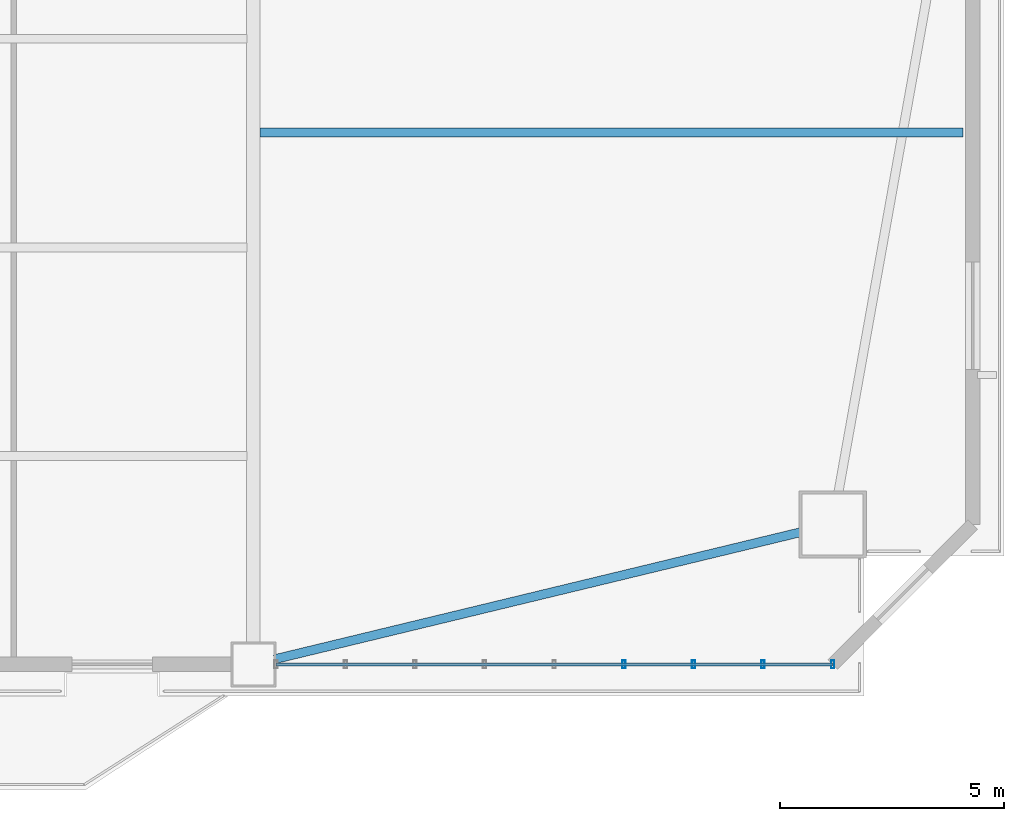
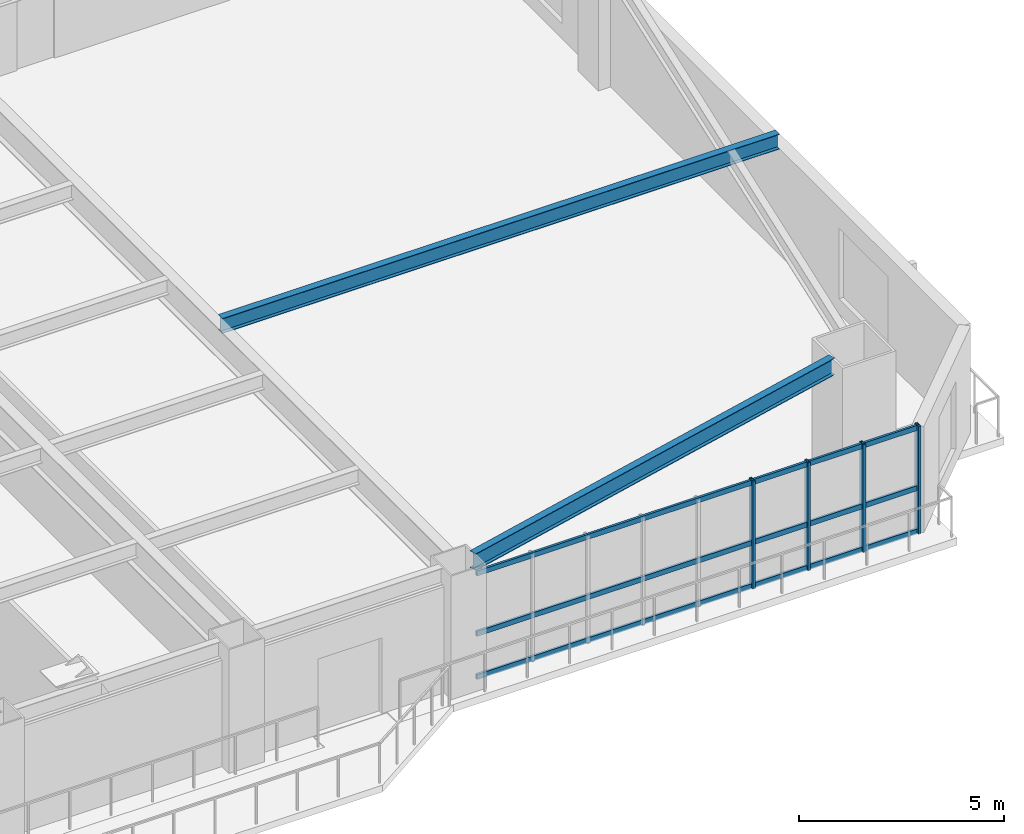
# One storey, part 7 of 18: 7 members, 2 beams, 1 element without a shape of its own.
"""IFC4 building model written with IfcOpenShell, lengths in metres."""

from ifc_helpers import new_model, si_unit, direction, frame, origin, origin_2d, place, context, subcontext, project, spatial, hollow_rectangle, i_section, extrude, source, transform, mapped, material, layer, layer_set, material_profile, profile_set, type_object, element, aggregate, save


model = new_model("IFC4")

# Units and contexts
model_context = context("Model", 3, precision=1e-05, world=origin(), true_north=direction((0.0, 1.0)))
body_context = subcontext(model_context, "Body", "Model", "MODEL_VIEW")
ifc_project = project(units=[si_unit("LENGTHUNIT", "METRE"), si_unit("AREAUNIT", "SQUARE_METRE"), si_unit("VOLUMEUNIT", "CUBIC_METRE"), si_unit("PLANEANGLEUNIT", "RADIAN"), si_unit("MASSUNIT", "GRAM", prefix="KILO")], contexts=[model_context])

# Site, building, storey
site_placement = place(None, origin())
site = spatial("IfcSite", under=ifc_project, at=site_placement, CompositionType="ELEMENT")
building_placement = place(site_placement, origin())
building = spatial("IfcBuilding", under=site, at=building_placement, Name="Giltprow Tower", CompositionType="ELEMENT")
storey_placement = place(building_placement, frame((0.0, 0.0, 65.0)))
storey = spatial("IfcBuildingStorey", under=building, at=storey_placement, Name="L16", CompositionType="ELEMENT", Elevation=65.0)

# Beams
ifc_material_1 = material(Name="Structural steel Q355B", Category="steel")
ifc_material_profile_1 = material_profile(ifc_material_1, i_section(OverallWidth=0.199951171875, OverallDepth=0.449951171875, WebThickness=0.009033203125, FlangeThickness=0.013916015625, at=origin_2d()), Name="HN 450x200x9x14")
ifc_profile_set_1 = profile_set([ifc_material_profile_1], Name="Structural steel Q355B")
beam_type_1 = type_object("IfcBeamType", Name="BM-JOIST-HN450", PredefinedType="JOIST", material=ifc_profile_set_1)
shared_shape_1 = source(origin(), body_context, "Body", "SweptSolid", [
    extrude(i_section(OverallWidth=0.199951171875, OverallDepth=0.449951171875, WebThickness=0.009033203125, FlangeThickness=0.013916015625, at=origin_2d()), origin(), (0.0, 0.0, 1.0), 15.680908203125),
])
beam_1_placement = place(storey_placement, frame((50.695068359375, 16.7470703125, 3.455078125), z_axis=(1.0, 0.0, 0.0), x_axis=(0.0, 1.0, 0.0)))
element("IfcBeam", 1, at=beam_1_placement, inside=storey, type_object=beam_type_1, Name="L16 East Wing Floor Joist 1", PredefinedType="JOIST", context=body_context, shape_type="MappedRepresentation", body=[
    mapped(shared_shape_1, transform((0.0, 0.0, 0.0), x_axis=(1.0, 0.0, 0.0), y_axis=(0.0, 1.0, 0.0), z_axis=(0.0, 0.0, 1.0), scale=1.0)),
])
ifc_material_profile_2 = material_profile(ifc_material_1, i_section(OverallWidth=0.199951171875, OverallDepth=0.5, WebThickness=0.010009765625, FlangeThickness=0.01611328125, at=origin_2d()), Name="HN 500x200x10x16")
ifc_profile_set_2 = profile_set([ifc_material_profile_2], Name="Structural steel Q355B")
beam_type_2 = type_object("IfcBeamType", Name="BM-SPAN-HN500", PredefinedType="SPANDREL", material=ifc_profile_set_2)
shared_shape_2 = source(origin(), body_context, "Body", "SweptSolid", [
    extrude(i_section(OverallWidth=0.199951171875, OverallDepth=0.5, WebThickness=0.010009765625, FlangeThickness=0.01611328125, at=origin_2d()), origin(), (0.0, 0.0, 1.0), 12.076416015625),
])
beam_2_placement = place(storey_placement, frame((51.02099609375, 4.99609375, 3.429931640625), z_axis=(0.972055648708, 0.234750539542, 0.0), x_axis=(-0.234750539542, 0.972055648708, 0.0)))
element("IfcBeam", 2, at=beam_2_placement, inside=storey, type_object=beam_type_2, Name="L16 Perimeter Spandrel Beam S4-MC_SE", PredefinedType="SPANDREL", context=body_context, shape_type="MappedRepresentation", body=[
    mapped(shared_shape_2, transform((0.0, 0.0, 0.0), x_axis=(1.0, 0.0, 0.0), y_axis=(0.0, 1.0, 0.0), z_axis=(0.0, 0.0, 1.0), scale=1.0)),
])

# Curtain wall, members
ifc_material_2 = material(Name="Anodized bronze", Category="metal")
ifc_layer = layer(ifc_material_2, 0.179931640625, Name="Anodized bronze")
ifc_layer_set = layer_set([ifc_layer], Name="Anodized bronze")
curtain_wall_type = type_object("IfcCurtainWallType", Name="CW-OFF-RECESSED", PredefinedType="NOTDEFINED", material=ifc_layer_set)
curtain_wall_placement = place(storey_placement, origin())
curtain_wall = element("IfcCurtainWall", 3, at=curtain_wall_placement, inside=storey, type_object=curtain_wall_type, Name="L16 South Recessed Curtain Wall 6", PredefinedType="NOTDEFINED")
ifc_material_profile_3 = material_profile(ifc_material_2, hollow_rectangle(XDim=0.074951171875, YDim=0.179931640625, WallThickness=0.008056640625, at=origin_2d()), Name="RHS 180x75x8")
ifc_profile_set_3 = profile_set([ifc_material_profile_3], Name="Anodized bronze")
member_type_1 = type_object("IfcMemberType", Name="CW-MULLION-180x75", PredefinedType="MULLION", material=ifc_profile_set_3)
shared_shape_3 = source(origin(), body_context, "Body", "SweptSolid", [
    extrude(hollow_rectangle(XDim=0.074951171875, YDim=0.179931640625, WallThickness=0.008056640625, at=origin_2d()), origin(), (0.0, 0.0, 1.0), 3.215087890625),
])
member_1_placement = place(storey_placement, frame((58.81494140625, 4.882080078125, -0.02001953125), z_axis=(0.0, 0.0, 1.0), x_axis=(1.0, 0.0, 0.0)))
member_1 = element("IfcMember", 4, at=member_1_placement, type_object=member_type_1, Name="L16 South Recessed Curtain Wall 6 Mullion 6", PredefinedType="MULLION", context=body_context, shape_type="MappedRepresentation", body=[
    mapped(shared_shape_3, transform((0.0, 0.0, 0.0), x_axis=(1.0, 0.0, 0.0), y_axis=(0.0, 1.0, 0.0), z_axis=(0.0, 0.0, 1.0), scale=1.0)),
])
member_2_placement = place(storey_placement, frame((60.367919921875, 4.882080078125, -0.02001953125), z_axis=(0.0, 0.0, 1.0), x_axis=(1.0, 0.0, 0.0)))
member_2 = element("IfcMember", 5, at=member_2_placement, type_object=member_type_1, Name="L16 South Recessed Curtain Wall 6 Mullion 7", PredefinedType="MULLION", context=body_context, shape_type="MappedRepresentation", body=[
    mapped(shared_shape_3, transform((0.0, 0.0, 0.0), x_axis=(1.0, 0.0, 0.0), y_axis=(0.0, 1.0, 0.0), z_axis=(0.0, 0.0, 1.0), scale=1.0)),
])
member_3_placement = place(storey_placement, frame((61.9208984375, 4.882080078125, -0.02001953125), z_axis=(0.0, 0.0, 1.0), x_axis=(1.0, 0.0, 0.0)))
member_3 = element("IfcMember", 6, at=member_3_placement, type_object=member_type_1, Name="L16 South Recessed Curtain Wall 6 Mullion 8", PredefinedType="MULLION", context=body_context, shape_type="MappedRepresentation", body=[
    mapped(shared_shape_3, transform((0.0, 0.0, 0.0), x_axis=(1.0, 0.0, 0.0), y_axis=(0.0, 1.0, 0.0), z_axis=(0.0, 0.0, 1.0), scale=1.0)),
])
member_4_placement = place(storey_placement, frame((63.47412109375, 4.882080078125, -0.02001953125), z_axis=(0.0, 0.0, 1.0), x_axis=(1.0, 0.0, 0.0)))
member_4 = element("IfcMember", 7, at=member_4_placement, type_object=member_type_1, Name="L16 South Recessed Curtain Wall 6 Mullion 9", PredefinedType="MULLION", context=body_context, shape_type="MappedRepresentation", body=[
    mapped(shared_shape_3, transform((0.0, 0.0, 0.0), x_axis=(1.0, 0.0, 0.0), y_axis=(0.0, 1.0, 0.0), z_axis=(0.0, 0.0, 1.0), scale=1.0)),
])
ifc_material_profile_4 = material_profile(ifc_material_2, hollow_rectangle(XDim=0.06494140625, YDim=0.14990234375, WallThickness=0.006103515625, at=origin_2d()), Name="RHS 150x65x6")
ifc_profile_set_4 = profile_set([ifc_material_profile_4], Name="Anodized bronze")
member_type_2 = type_object("IfcMemberType", Name="CW-TRANSOM-150x65", PredefinedType="USERDEFINED", material=ifc_profile_set_4)
shared_shape_4 = source(origin(), body_context, "Body", "SweptSolid", [
    extrude(hollow_rectangle(XDim=0.06494140625, YDim=0.14990234375, WallThickness=0.006103515625, at=origin_2d()), origin(), (0.0, 0.0, 1.0), 12.424072265625),
])
member_5_placement = place(storey_placement, frame((51.050048828125, 4.882080078125, 0.0400390625), z_axis=(1.0, 0.0, 0.0), x_axis=(0.0, 1.0, 0.0)))
member_5 = element("IfcMember", 8, at=member_5_placement, type_object=member_type_2, Name="L16 South Recessed Curtain Wall 6 Transom 1", ObjectType="TRANSOM", PredefinedType="USERDEFINED", context=body_context, shape_type="MappedRepresentation", body=[
    mapped(shared_shape_4, transform((0.0, 0.0, 0.0), x_axis=(1.0, 0.0, 0.0), y_axis=(0.0, 1.0, 0.0), z_axis=(0.0, 0.0, 1.0), scale=1.0)),
])
member_6_placement = place(storey_placement, frame((51.050048828125, 4.882080078125, 1.326904296875), z_axis=(1.0, 0.0, 0.0), x_axis=(0.0, 1.0, 0.0)))
member_6 = element("IfcMember", 9, at=member_6_placement, type_object=member_type_2, Name="L16 South Recessed Curtain Wall 6 Transom 2", ObjectType="TRANSOM", PredefinedType="USERDEFINED", context=body_context, shape_type="MappedRepresentation", body=[
    mapped(shared_shape_4, transform((0.0, 0.0, 0.0), x_axis=(1.0, 0.0, 0.0), y_axis=(0.0, 1.0, 0.0), z_axis=(0.0, 0.0, 1.0), scale=1.0)),
])
member_7_placement = place(storey_placement, frame((51.050048828125, 4.882080078125, 3.1201171875), z_axis=(1.0, 0.0, 0.0), x_axis=(0.0, 1.0, 0.0)))
member_7 = element("IfcMember", 10, at=member_7_placement, type_object=member_type_2, Name="L16 South Recessed Curtain Wall 6 Transom 3", ObjectType="TRANSOM", PredefinedType="USERDEFINED", context=body_context, shape_type="MappedRepresentation", body=[
    mapped(shared_shape_4, transform((0.0, 0.0, 0.0), x_axis=(1.0, 0.0, 0.0), y_axis=(0.0, 1.0, 0.0), z_axis=(0.0, 0.0, 1.0), scale=1.0)),
])
aggregate(curtain_wall, [member_1, member_2, member_3, member_4, member_5, member_6, member_7])

save(model, "model.ifc")
